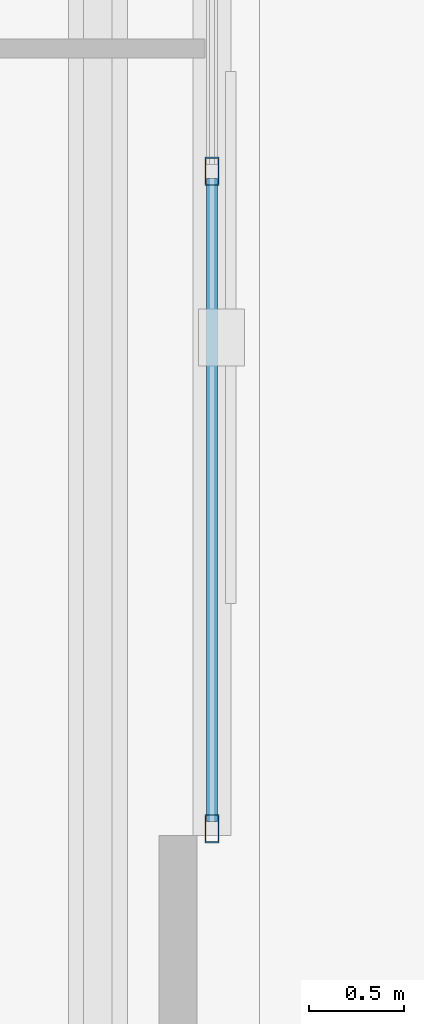
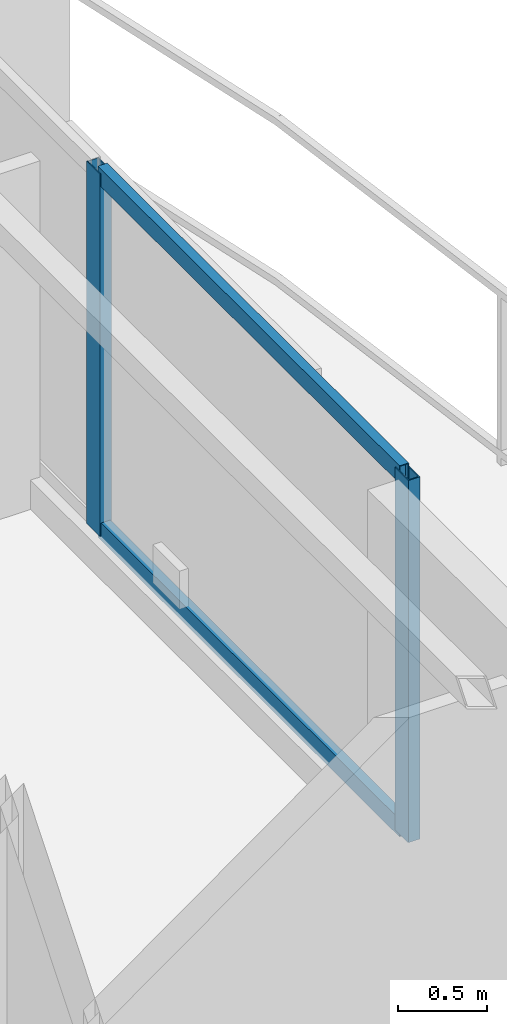
# One storey, part 7 of 18: 4 members, 1 element without a shape of its own.
"""IFC4 building model written with IfcOpenShell, lengths in metres."""

import ifcopenshell
import ifcopenshell.guid

model = None  # the IFC model being written
_history = None  # IfcOwnerHistory: only IFC2X3 demands one
_inside = {}  # id of a spatial element -> (the spatial element, [elements in it])
_under = {}  # id of a project, library or spatial element -> (it, [spatial elements below it])
_declared = {}  # id of a project -> (the project, [libraries it declares])
_typed = {}  # id of a type object -> (the type object, [elements of that type])
_made_of = {}  # id of a material, layer set ... -> (it, [elements and type objects made of it])


def new_model(schema):
    """Start an empty IFC model of exactly this schema.

    Asked for "IFC4X3", IfcOpenShell would pick the latest addendum, in which some entities
    have other attributes; the version numbers below select the first issue.
    IFC2X3 requires an IfcOwnerHistory on every rooted entity: one is made here for all.
    """
    global model, _history
    if schema == "IFC4X3":
        model = ifcopenshell.file(schema_version=(4, 3, 0, 0))
    else:
        model = ifcopenshell.file(schema=schema)
    _inside.clear()
    _under.clear()
    _declared.clear()
    _typed.clear()
    _made_of.clear()
    _history = None
    if model.schema == "IFC2X3":
        org = make("IfcOrganization", Name="unknown")
        user = make(
            "IfcPersonAndOrganization",
            ThePerson=make("IfcPerson", FamilyName="unknown"),
            TheOrganization=org,
        )
        app = make(
            "IfcApplication",
            ApplicationDeveloper=org,
            Version="unknown",
            ApplicationFullName="unknown",
            ApplicationIdentifier="unknown",
        )
        _history = make(
            "IfcOwnerHistory",
            OwningUser=user,
            OwningApplication=app,
            ChangeAction="ADDED",
            CreationDate=0,
        )
    return model


def make(cls, **values):
    """One entity of the class cls with the attributes given. An attribute that is None is left unset."""
    return model.create_entity(
        cls, **{name: value for name, value in values.items() if value is not None}
    )


def rooted(cls, **values):
    """An entity with a GlobalId (a new one), such as an element, a storey or a relation."""
    return make(cls, GlobalId=ifcopenshell.guid.new(), OwnerHistory=_history, **values)


def si_unit(unit_type, name, prefix=None):
    """IfcSIUnit, for example si_unit("LENGTHUNIT", "METRE", prefix="MILLI")."""
    return make("IfcSIUnit", UnitType=unit_type, Prefix=prefix, Name=name)


def assignment(units):
    """IfcUnitAssignment: the units of a project."""
    return None if units is None else make("IfcUnitAssignment", Units=units)


def point(xyz):
    """IfcCartesianPoint."""
    return None if xyz is None else make("IfcCartesianPoint", Coordinates=xyz)


def direction(xyz):
    """IfcDirection."""
    return None if xyz is None else make("IfcDirection", DirectionRatios=xyz)


def frame(location, z_axis=None, x_axis=None):
    """IfcAxis2Placement3D, a coordinate frame: its origin and axes. An axis left out is left unset."""
    return make(
        "IfcAxis2Placement3D",
        Location=point(location),
        Axis=direction(z_axis),
        RefDirection=direction(x_axis),
    )


def frame_2d(location, x_axis=None):
    """IfcAxis2Placement2D, a coordinate frame in the plane: its origin and x axis."""
    return make(
        "IfcAxis2Placement2D", Location=point(location), RefDirection=direction(x_axis)
    )


def origin():
    """The frame at (0, 0, 0) with its axes left unset."""
    return frame((0.0, 0.0, 0.0))


def origin_2d():
    """The frame at (0, 0) in the plane with its x axis left unset."""
    return frame_2d((0.0, 0.0))


def place(relative_to, where):
    """IfcLocalPlacement: puts the frame where relative to a parent placement (None: the world)."""
    return make(
        "IfcLocalPlacement", PlacementRelTo=relative_to, RelativePlacement=where
    )


def context(
    kind, dimensions, precision=None, world=None, true_north=None, identifier=None
):
    """IfcGeometricRepresentationContext, for example the 3D "Model" context."""
    return make(
        "IfcGeometricRepresentationContext",
        ContextIdentifier=identifier,
        ContextType=kind,
        CoordinateSpaceDimension=dimensions,
        Precision=precision,
        WorldCoordinateSystem=world,
        TrueNorth=true_north,
    )


def subcontext(parent, identifier, kind, view, scale=None):
    """IfcGeometricRepresentationSubContext, for example "Body" below "Model"."""
    return make(
        "IfcGeometricRepresentationSubContext",
        ContextIdentifier=identifier,
        ContextType=kind,
        ParentContext=parent,
        TargetScale=scale,
        TargetView=view,
    )


def project(units=None, contexts=None):
    """IfcProject with its units and contexts."""
    return rooted(
        "IfcProject",
        Name="project",
        RepresentationContexts=contexts,
        UnitsInContext=assignment(units),
    )


def spatial(cls, under=None, at=None, **own):
    """A site, building, storey or space (cls), placed at a placement, below another one or the project."""
    s = rooted(cls, ObjectPlacement=at, **own)
    if under is not None:
        _under.setdefault(under.id(), (under, []))[1].append(s)
    return s


def profile(cls, at=None, kind="AREA", **sizes):
    """A parametric profile (cls). Its sizes go by their IFC names, for example OverallWidth=200.0."""
    return make(cls, ProfileType=kind, Position=at, **sizes)


def hollow_rectangle(**sizes):
    """IfcRectangleHollowProfileDef."""
    return profile("IfcRectangleHollowProfileDef", **sizes)


def extrude(swept, where, along, depth):
    """IfcExtrudedAreaSolid: the profile swept, set in the frame where, extruded along a direction by depth."""
    return make(
        "IfcExtrudedAreaSolid",
        SweptArea=swept,
        Position=where,
        ExtrudedDirection=direction(along),
        Depth=depth,
    )


def shape(context_of_items, identifier, shape_type, items):
    """IfcShapeRepresentation: the items that make up one representation, for example the "Body"."""
    return make(
        "IfcShapeRepresentation",
        ContextOfItems=context_of_items,
        RepresentationIdentifier=identifier,
        RepresentationType=shape_type,
        Items=items,
    )


def material(Name=None, Category=None):
    """IfcMaterial."""
    return make("IfcMaterial", Name=Name, Category=Category)


def layer(
    of_material, thickness, ventilated=None, Name=None, Category=None, Priority=None
):
    """IfcMaterialLayer: one layer of a wall or slab, of a material (None: an air gap)."""
    return make(
        "IfcMaterialLayer",
        Material=of_material,
        LayerThickness=thickness,
        IsVentilated=ventilated,
        Name=Name,
        Category=Category,
        Priority=Priority,
    )


def layer_set(layers, Name=None):
    """IfcMaterialLayerSet."""
    return make("IfcMaterialLayerSet", MaterialLayers=layers, LayerSetName=Name)


def material_profile(
    of_material, cross_section, Name=None, Category=None, Priority=None
):
    """IfcMaterialProfile: a cross section and its material."""
    return make(
        "IfcMaterialProfile",
        Name=Name,
        Material=of_material,
        Profile=cross_section,
        Priority=Priority,
        Category=Category,
    )


def profile_set(profiles, Name=None, composite=None):
    """IfcMaterialProfileSet."""
    return make(
        "IfcMaterialProfileSet",
        Name=Name,
        MaterialProfiles=profiles,
        CompositeProfile=composite,
    )


def made_of(thing, what):
    """Note that an element or type object is made of a material, layer set ...; save() writes the relation."""
    if what is not None:
        _made_of.setdefault(what.id(), (what, []))[1].append(thing)
    return thing


def type_object(cls, material=None, **own):
    """A type object (cls), such as IfcWallType, which elements share."""
    return made_of(rooted(cls, **own), material)


def element(
    cls,
    number,
    at=None,
    inside=None,
    cuts=None,
    type_object=None,
    material=None,
    context=None,
    identifier="Body",
    shape_type=None,
    held_by="IfcProductDefinitionShape",
    body=None,
    shapes=None,
    **own,
):
    """One element of the class cls, such as IfcWall. Its Tag is "e" and its number.

    at: its placement. inside: the storey or other place that contains it. cuts: it is an
    opening in that element (IfcRelVoidsElement). A single representation is given by context,
    identifier, shape_type and body (its items); several are given by shapes. held_by: the class
    of the entity that holds the representations. save() writes the other relations.
    """
    e = rooted(cls, Tag="e%d" % number, ObjectPlacement=at, **own)
    if body is not None:
        shapes = [shape(context, identifier, shape_type, body)]
    if shapes is not None:
        e.Representation = make(held_by, Representations=shapes)
    if inside is not None:
        _inside.setdefault(inside.id(), (inside, []))[1].append(e)
    if cuts is not None:
        rooted(
            "IfcRelVoidsElement", RelatingBuildingElement=cuts, RelatedOpeningElement=e
        )
    if type_object is not None:
        _typed.setdefault(type_object.id(), (type_object, []))[1].append(e)
    return made_of(e, material)


def aggregate(whole, parts):
    """IfcRelAggregates: a whole, such as a stair, and the parts it consists of."""
    return rooted("IfcRelAggregates", RelatingObject=whole, RelatedObjects=parts)


def save(model, path):
    """Write the relations noted so far, then the file.

    IfcRelAggregates (storeys below a building ...), IfcRelContainedInSpatialStructure (elements
    in a storey), IfcRelDefinesByType, IfcRelAssociatesMaterial and IfcRelDeclares: one each for
    every whole, place, type object, material and project.
    """
    for whole, parts in _under.values():
        aggregate(whole, parts)
    for where, things in _inside.values():
        rooted(
            "IfcRelContainedInSpatialStructure",
            RelatedElements=things,
            RelatingStructure=where,
        )
    for kind, things in _typed.values():
        rooted("IfcRelDefinesByType", RelatedObjects=things, RelatingType=kind)
    for what, things in _made_of.values():
        rooted("IfcRelAssociatesMaterial", RelatedObjects=things, RelatingMaterial=what)
    for by, libraries in _declared.values():
        rooted("IfcRelDeclares", RelatingContext=by, RelatedDefinitions=libraries)
    model.write(path)


model = new_model("IFC4")

# Units and contexts
model_context = context("Model", 3, precision=1e-05, world=origin(), true_north=direction((0.0, 1.0)))
body_context = subcontext(model_context, "Body", "Model", "MODEL_VIEW")
ifc_project = project(units=[si_unit("LENGTHUNIT", "METRE"), si_unit("AREAUNIT", "SQUARE_METRE"), si_unit("VOLUMEUNIT", "CUBIC_METRE"), si_unit("PLANEANGLEUNIT", "RADIAN"), si_unit("MASSUNIT", "GRAM", prefix="KILO")], contexts=[model_context])

# Site, building, storey
site_placement = place(None, origin())
site = spatial("IfcSite", under=ifc_project, at=site_placement, CompositionType="ELEMENT")
building_placement = place(site_placement, origin())
building = spatial("IfcBuilding", under=site, at=building_placement, Name="Mersakhor Tower and Convention Hall", CompositionType="ELEMENT")
storey_placement = place(building_placement, frame((0.0, 0.0, 134.39990234375)))
storey = spatial("IfcBuildingStorey", under=building, at=storey_placement, Name="L37", CompositionType="ELEMENT", Elevation=134.39990234375)

# Curtain wall, members
ifc_material_1 = material(Name="Dark solar low-E aluminium curtain wall", Category="aluminium")
ifc_layer = layer(ifc_material_1, 0.169921875)
ifc_layer_set = layer_set([ifc_layer], Name="Dark solar low-E aluminium curtain wall")
curtain_wall_type = type_object("IfcCurtainWallType", Name="CW-SYS-02", PredefinedType="USERDEFINED", material=ifc_layer_set)
curtain_wall_placement = place(storey_placement, origin())
curtain_wall = element("IfcCurtainWall", 1, at=curtain_wall_placement, inside=storey, type_object=curtain_wall_type, Name="L37 Dark-Glass Curtain Wall F2-B2", ObjectType="CURTAIN WALL", PredefinedType="USERDEFINED")
ifc_material_2 = material(Name="Anodised aluminium EN AW-6063 T6", Category="aluminium")
ifc_material_profile_1 = material_profile(ifc_material_2, hollow_rectangle(XDim=0.074951171875, YDim=0.14990234375, WallThickness=0.00634765625, at=origin_2d()), Name="RHS 150x75x6.3")
ifc_profile_set_1 = profile_set([ifc_material_profile_1], Name="Anodised aluminium EN AW-6063 T6")
member_type_1 = type_object("IfcMemberType", Name="CWM-150x75", PredefinedType="MULLION", material=ifc_profile_set_1)
member_1_placement = place(storey_placement, frame((42.21923828125, 25.00244140625, 0.2001953125), z_axis=(0.0, 0.0, 1.0), x_axis=(1.0, 0.0, 0.0)))
member_1 = element("IfcMember", 2, at=member_1_placement, type_object=member_type_1, Name="CW-02 mullion 3", PredefinedType="MULLION", context=body_context, shape_type="SweptSolid", body=[
    extrude(hollow_rectangle(XDim=0.074951171875, YDim=0.14990234375, WallThickness=0.00634765625, at=origin_2d()), origin(), (0.0, 0.0, 1.0), 2.47998046875),
])
member_2_placement = place(storey_placement, frame((42.21923828125, 21.54443359375, 0.2001953125), z_axis=(0.0, 0.0, 1.0), x_axis=(1.0, 0.0, 0.0)))
member_2 = element("IfcMember", 3, at=member_2_placement, type_object=member_type_1, Name="CW-02 mullion 4", PredefinedType="MULLION", context=body_context, shape_type="SweptSolid", body=[
    extrude(hollow_rectangle(XDim=0.074951171875, YDim=0.14990234375, WallThickness=0.00634765625, at=origin_2d()), origin(), (0.0, 0.0, 1.0), 2.47998046875),
])
ifc_material_3 = material(Name="Anodised aluminium EN AW-6063 T6", Category="aluminium")
ifc_material_profile_2 = material_profile(ifc_material_3, hollow_rectangle(XDim=0.06005859375, YDim=0.1201171875, WallThickness=0.0048828125, at=origin_2d()), Name="RHS 120x60x5")
ifc_profile_set_2 = profile_set([ifc_material_profile_2], Name="Anodised aluminium EN AW-6063 T6")
member_type_2 = type_object("IfcMemberType", Name="CWT-120x60", PredefinedType="USERDEFINED", material=ifc_profile_set_2)
member_3_placement = place(storey_placement, frame((42.21923828125, 24.96484375, 0.22998046875), z_axis=(0.0, -1.0, 0.0), x_axis=(1.0, 0.0, 0.0)))
member_3 = element("IfcMember", 4, at=member_3_placement, type_object=member_type_2, Name="CW-02 transom 3.1", ObjectType="TRANSOM", PredefinedType="USERDEFINED", context=body_context, shape_type="SweptSolid", body=[
    extrude(hollow_rectangle(XDim=0.06005859375, YDim=0.1201171875, WallThickness=0.0048828125, at=origin_2d()), origin(), (0.0, 0.0, 1.0), 3.3828125),
])
member_4_placement = place(storey_placement, frame((42.21923828125, 24.96484375, 2.650146484375), z_axis=(0.0, -1.0, 0.0), x_axis=(1.0, 0.0, 0.0)))
member_4 = element("IfcMember", 5, at=member_4_placement, type_object=member_type_2, Name="CW-02 transom 3.2", ObjectType="TRANSOM", PredefinedType="USERDEFINED", context=body_context, shape_type="SweptSolid", body=[
    extrude(hollow_rectangle(XDim=0.06005859375, YDim=0.1201171875, WallThickness=0.0048828125, at=origin_2d()), origin(), (0.0, 0.0, 1.0), 3.3828125),
])
aggregate(curtain_wall, [member_1, member_2, member_3, member_4])

save(model, "model.ifc")
